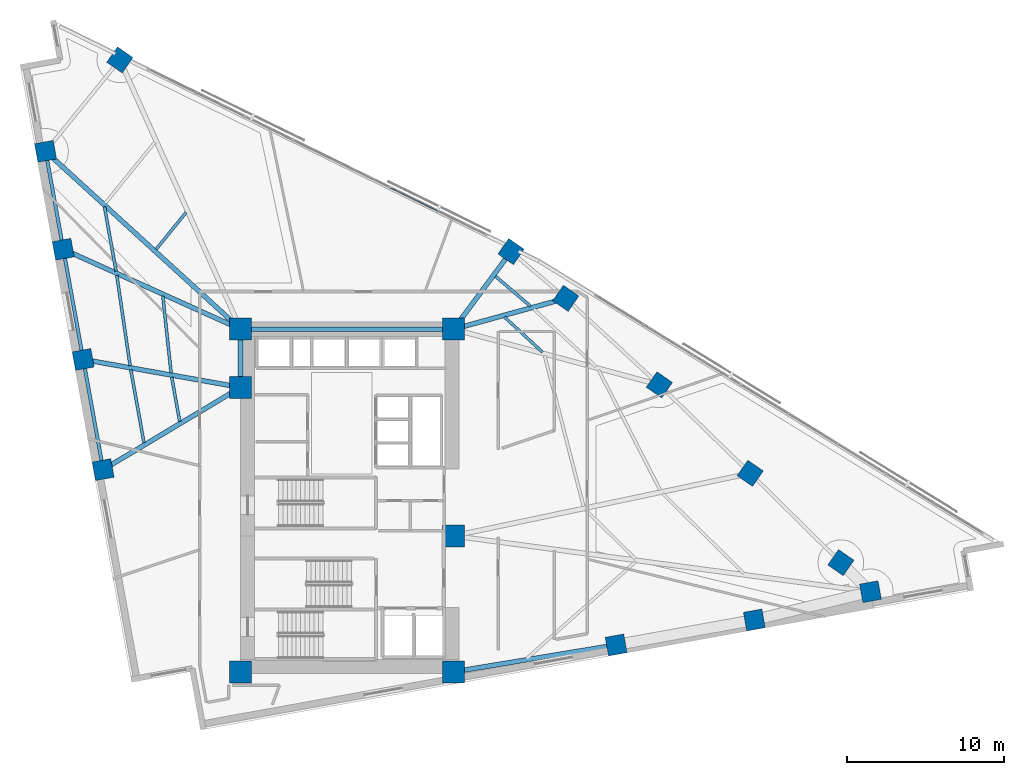
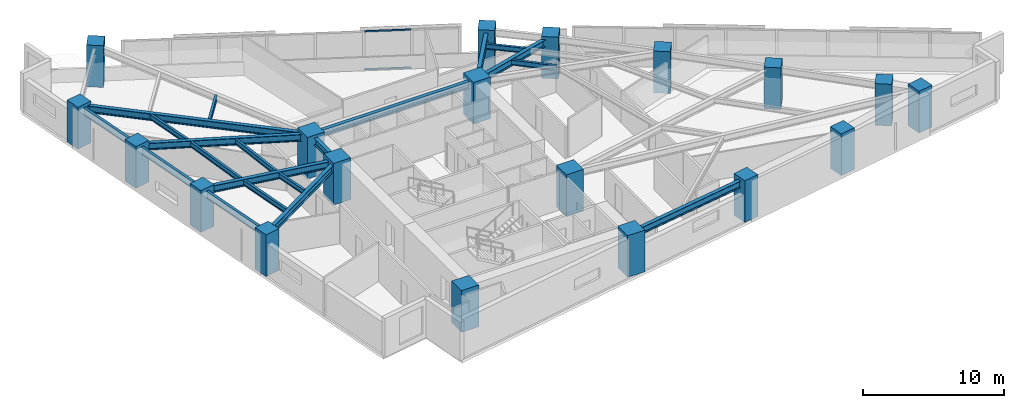
# One storey, part 1 of 18: 20 beams, 19 columns, 2 members, 1 element without a shape of its own.
"""IFC4 building model written with IfcOpenShell, lengths in metres."""

from ifc_helpers import new_model, si_unit, direction, frame, origin, origin_2d, place, context, subcontext, project, spatial, rectangle, hollow_rectangle, i_section, extrude, material, material_profile, profile_set, type_object, element, aggregate, save


model = new_model("IFC4")

# Units and contexts
model_context = context("Model", 3, precision=1e-05, world=origin(), true_north=direction((0.0, 1.0)))
body_context = subcontext(model_context, "Body", "Model", "MODEL_VIEW")
ifc_project = project(units=[si_unit("LENGTHUNIT", "METRE"), si_unit("AREAUNIT", "SQUARE_METRE"), si_unit("VOLUMEUNIT", "CUBIC_METRE"), si_unit("PLANEANGLEUNIT", "RADIAN"), si_unit("MASSUNIT", "GRAM", prefix="KILO")], contexts=[model_context])

# Site, building, storey
site_placement = place(None, origin())
site = spatial("IfcSite", under=ifc_project, at=site_placement, CompositionType="ELEMENT")
building_placement = place(site_placement, origin())
building = spatial("IfcBuilding", under=site, at=building_placement, Name="Narakoshi Arena Tower", CompositionType="ELEMENT")
storey_placement = place(building_placement, frame((0.0, 0.0, 99.300048828125)))
storey = spatial("IfcBuildingStorey", under=building, at=storey_placement, Name="L26", CompositionType="ELEMENT", Elevation=99.300048828125)

# Columns
ifc_material_1 = material(Name="Concrete C60/75", Category="concrete")
ifc_material_profile_1 = material_profile(ifc_material_1, rectangle(XDim=1.199951171875, YDim=1.199951171875, at=origin_2d()), Name="RC1200x1200")
ifc_profile_set_1 = profile_set([ifc_material_profile_1], Name="Concrete C60/75")
column_type_1 = type_object("IfcColumnType", Name="COL-RC1200", PredefinedType="COLUMN", material=ifc_profile_set_1)
for number, where, z_axis, x_axis, name in (
    (1, (95.89013671875, 36.411865234375, 0.0), (0.0, 0.0, 1.0), (0.984040697646, 0.177943545474, 0.0), "L26 Tower Perimeter Column TC02"),
    (2, (104.681396484375, 38.00146484375, 0.0), (0.0, 0.0, 1.0), (0.984040697646, 0.177943545474, 0.0), "L26 Tower Perimeter Column TC03"),
    (3, (112.0703125, 39.7978515625, 0.0), (0.0, 0.0, 1.0), (0.984040697646, 0.177943545474, 0.0), "L26 Tower Perimeter Column TC04"),
    (4, (110.189208984375, 41.650146484375, 0.0), (0.0, 0.0, 1.0), (0.569996762596, 0.821646937942, 0.0), "L26 Tower Perimeter Column TC05"),
    (5, (104.42041015625, 47.33056640625, 0.0), (0.0, 0.0, 1.0), (0.569996762596, 0.821646937942, 0.0), "L26 Tower Perimeter Column TC06"),
    (6, (98.641357421875, 52.95849609375, 0.0), (0.0, 0.0, 1.0), (0.569996762596, 0.821646937942, 0.0), "L26 Tower Perimeter Column TC07"),
    (7, (92.68994140625, 58.462890625, 0.0), (0.0, 0.0, 1.0), (0.569996762596, 0.821646937942, 0.0), "L26 Tower Perimeter Column TC08"),
    (8, (89.206787109375, 61.437744140625, 0.0), (0.0, 0.0, 1.0), (0.569996762596, 0.821646937942, 0.0), "L26 Tower Perimeter Column TC09"),
    (9, (64.31787109375, 73.633056640625, 0.0), (0.0, 0.0, 1.0), (0.569996762596, 0.821646937942, 0.0), "L26 Tower Perimeter Column TC11"),
    (10, (59.593505859375, 67.81591796875, 0.0), (0.0, 0.0, 1.0), (-0.177943545474, 0.984040697646, 0.0), "L26 Tower Perimeter Column TC13"),
    (11, (60.72021484375, 61.585205078125, 0.0), (0.0, 0.0, 1.0), (-0.177943545474, 0.984040697646, 0.0), "L26 Tower Perimeter Column TC14"),
    (12, (61.98779296875, 54.575439453125, 0.0), (0.0, 0.0, 1.0), (-0.177943545474, 0.984040697646, 0.0), "L26 Tower Perimeter Column TC15"),
    (13, (63.25537109375, 47.56591796875, 0.0), (0.0, 0.0, 1.0), (-0.177943545474, 0.984040697646, 0.0), "L26 Tower Perimeter Column TC16"),
):
    element("IfcColumn", number, at=place(storey_placement, frame(where, z_axis=z_axis, x_axis=x_axis)), inside=storey, type_object=column_type_1, Name=name, PredefinedType="COLUMN", context=body_context, shape_type="SweptSolid", body=[
        extrude(rectangle(XDim=1.199951171875, YDim=1.199951171875, at=origin_2d()), origin(), (0.0, 0.0, 1.0), 3.599853515625),
    ])
ifc_material_profile_2 = material_profile(ifc_material_1, rectangle(XDim=1.39990234375, YDim=1.39990234375, at=origin_2d()), Name="RC1400x1400")
ifc_profile_set_2 = profile_set([ifc_material_profile_2], Name="Concrete C60/75")
column_type_2 = type_object("IfcColumnType", Name="COL-RC1400", PredefinedType="COLUMN", material=ifc_profile_set_2)
for number, where, z_axis, x_axis, name in (
    (14, (72.0, 34.699951171875, 0.0), (0.0, 0.0, 1.0), (1.0, 0.0, 0.0), "L26 Core Structural Column CC1"),
    (15, (85.550048828125, 34.699951171875, 0.0), (0.0, 0.0, 1.0), (1.0, 0.0, 0.0), "L26 Core Structural Column CC2"),
    (16, (85.550048828125, 43.35009765625, 0.0), (0.0, 0.0, 1.0), (1.0, 0.0, 0.0), "L26 Core Structural Column CC3"),
    (17, (72.0, 52.800048828125, 0.0), (0.0, 0.0, 1.0), (1.0, 0.0, 0.0), "L26 Core Structural Column CC4"),
    (18, (72.0, 56.5, 0.0), (0.0, 0.0, 1.0), (1.0, 0.0, 0.0), "L26 Core Structural Column CC5"),
    (19, (85.550048828125, 56.5, 0.0), (0.0, 0.0, 1.0), (1.0, 0.0, 0.0), "L26 Core Structural Column CC6"),
):
    element("IfcColumn", number, at=place(storey_placement, frame(where, z_axis=z_axis, x_axis=x_axis)), inside=storey, type_object=column_type_2, Name=name, PredefinedType="COLUMN", context=body_context, shape_type="SweptSolid", body=[
        extrude(rectangle(XDim=1.39990234375, YDim=1.39990234375, at=origin_2d()), origin(), (0.0, 0.0, 1.0), 3.599853515625),
    ])

# Beams
ifc_material_2 = material(Name="Structural steel S355J2", Category="steel")
ifc_material_profile_3 = material_profile(ifc_material_2, i_section(OverallWidth=0.219970703125, OverallDepth=0.60009765625, WebThickness=0.011962890625, FlangeThickness=0.01904296875, FilletRadius=0.02392578125, at=origin_2d()), Name="IPE600")
ifc_profile_set_3 = profile_set([ifc_material_profile_3], Name="Structural steel S355J2")
beam_type_1 = type_object("IfcBeamType", Name="BM-EDGE-600", PredefinedType="BEAM", material=ifc_profile_set_3)
beam_1_placement = place(storey_placement, frame((59.593505859375, 67.81591796875, 3.0400390625), z_axis=(0.177945465207, -0.9840403505, 0.0), x_axis=(0.9840403505, 0.177945465207, 0.0)))
element("IfcBeam", 20, at=beam_1_placement, inside=storey, type_object=beam_type_1, Name="L26 Perimeter Edge Girder 10", PredefinedType="BEAM", context=body_context, shape_type="SweptSolid", body=[
    extrude(i_section(OverallWidth=0.219970703125, OverallDepth=0.60009765625, WebThickness=0.011962890625, FlangeThickness=0.01904296875, FilletRadius=0.02392578125, at=origin_2d()), origin(), (0.0, 0.0, 1.0), 6.331787109375),
])
beam_2_placement = place(storey_placement, frame((60.72021484375, 61.585205078125, 3.0400390625), z_axis=(0.177944362466, -0.98404054991, 0.0), x_axis=(0.98404054991, 0.177944362466, 0.0)))
element("IfcBeam", 21, at=beam_2_placement, inside=storey, type_object=beam_type_1, Name="L26 Perimeter Edge Girder 11", PredefinedType="BEAM", context=body_context, shape_type="SweptSolid", body=[
    extrude(i_section(OverallWidth=0.219970703125, OverallDepth=0.60009765625, WebThickness=0.011962890625, FlangeThickness=0.01904296875, FilletRadius=0.02392578125, at=origin_2d()), origin(), (0.0, 0.0, 1.0), 7.12353515625),
])
beam_3_placement = place(storey_placement, frame((61.98779296875, 54.575439453125, 3.0400390625), z_axis=(0.177950363985, -0.984039464634, 0.0), x_axis=(0.984039464634, 0.177950363985, 0.0)))
element("IfcBeam", 22, at=beam_3_placement, inside=storey, type_object=beam_type_1, Name="L26 Perimeter Edge Girder 12", PredefinedType="BEAM", context=body_context, shape_type="SweptSolid", body=[
    extrude(i_section(OverallWidth=0.219970703125, OverallDepth=0.60009765625, WebThickness=0.011962890625, FlangeThickness=0.01904296875, FilletRadius=0.02392578125, at=origin_2d()), origin(), (0.0, 0.0, 1.0), 7.123291015625),
])
ifc_material_profile_4 = material_profile(ifc_material_2, i_section(OverallWidth=0.300048828125, OverallDepth=0.60009765625, WebThickness=0.015380859375, FlangeThickness=0.030029296875, FilletRadius=0.027099609375, at=origin_2d()), Name="HE600B")
ifc_profile_set_4 = profile_set([ifc_material_profile_4], Name="Structural steel S355J2")
beam_type_2 = type_object("IfcBeamType", Name="BM-PRI-600", PredefinedType="BEAM", material=ifc_profile_set_4)
beam_4_placement = place(storey_placement, frame((85.550048828125, 34.699951171875, 3.0400390625), z_axis=(0.986570261116, 0.163337441762, 0.0), x_axis=(-0.163337441762, 0.986570261116, 0.0)))
element("IfcBeam", 23, at=beam_4_placement, inside=storey, type_object=beam_type_2, Name="L26 Radial Primary Floor Girder 01", PredefinedType="BEAM", context=body_context, shape_type="SweptSolid", body=[
    extrude(i_section(OverallWidth=0.300048828125, OverallDepth=0.60009765625, WebThickness=0.015380859375, FlangeThickness=0.030029296875, FilletRadius=0.027099609375, at=origin_2d()), origin(), (0.0, 0.0, 1.0), 10.48095703125),
])
beam_5_placement = place(storey_placement, frame((85.550048828125, 56.5, 3.0400390625), z_axis=(0.964225409977, 0.265083682551, 0.0), x_axis=(-0.265083682551, 0.964225409977, 0.0)))
element("IfcBeam", 24, at=beam_5_placement, inside=storey, type_object=beam_type_2, Name="L26 Radial Primary Floor Girder 07", PredefinedType="BEAM", context=body_context, shape_type="SweptSolid", body=[
    extrude(i_section(OverallWidth=0.300048828125, OverallDepth=0.60009765625, WebThickness=0.015380859375, FlangeThickness=0.030029296875, FilletRadius=0.027099609375, at=origin_2d()), origin(), (0.0, 0.0, 1.0), 7.40478515625),
])
beam_6_placement = place(storey_placement, frame((85.550048828125, 56.5, 3.0400390625), z_axis=(0.595138224279, 0.803623353321, 0.0), x_axis=(-0.803623353321, 0.595138224279, 0.0)))
element("IfcBeam", 25, at=beam_6_placement, inside=storey, type_object=beam_type_2, Name="L26 Radial Primary Floor Girder 08", PredefinedType="BEAM", context=body_context, shape_type="SweptSolid", body=[
    extrude(i_section(OverallWidth=0.300048828125, OverallDepth=0.60009765625, WebThickness=0.015380859375, FlangeThickness=0.030029296875, FilletRadius=0.027099609375, at=origin_2d()), origin(), (0.0, 0.0, 1.0), 6.144287109375),
])
beam_7_placement = place(storey_placement, frame((72.0, 56.5, 3.0400390625), z_axis=(-0.738833839277, 0.673887644893, 0.0), x_axis=(-0.673887644893, -0.738833839277, 0.0)))
element("IfcBeam", 26, at=beam_7_placement, inside=storey, type_object=beam_type_2, Name="L26 Radial Primary Floor Girder 10", PredefinedType="BEAM", context=body_context, shape_type="SweptSolid", body=[
    extrude(i_section(OverallWidth=0.300048828125, OverallDepth=0.60009765625, WebThickness=0.015380859375, FlangeThickness=0.030029296875, FilletRadius=0.027099609375, at=origin_2d()), origin(), (0.0, 0.0, 1.0), 16.7919921875),
])
beam_8_placement = place(storey_placement, frame((72.0, 56.5, 3.0400390625), z_axis=(-0.911639961566, 0.410989757142, 0.0), x_axis=(-0.410989757142, -0.911639961566, 0.0)))
element("IfcBeam", 27, at=beam_8_placement, inside=storey, type_object=beam_type_2, Name="L26 Radial Primary Floor Girder 11", PredefinedType="BEAM", context=body_context, shape_type="SweptSolid", body=[
    extrude(i_section(OverallWidth=0.300048828125, OverallDepth=0.60009765625, WebThickness=0.015380859375, FlangeThickness=0.030029296875, FilletRadius=0.027099609375, at=origin_2d()), origin(), (0.0, 0.0, 1.0), 12.373046875),
])
beam_9_placement = place(storey_placement, frame((72.0, 52.800048828125, 3.0400390625), z_axis=(-0.984639647685, 0.174598866568, 0.0), x_axis=(-0.174598866568, -0.984639647685, 0.0)))
element("IfcBeam", 28, at=beam_9_placement, inside=storey, type_object=beam_type_2, Name="L26 Radial Primary Floor Girder 12", PredefinedType="BEAM", context=body_context, shape_type="SweptSolid", body=[
    extrude(i_section(OverallWidth=0.300048828125, OverallDepth=0.60009765625, WebThickness=0.015380859375, FlangeThickness=0.030029296875, FilletRadius=0.027099609375, at=origin_2d()), origin(), (0.0, 0.0, 1.0), 10.16845703125),
])
beam_10_placement = place(storey_placement, frame((72.0, 52.800048828125, 3.0400390625), z_axis=(-0.858039895053, -0.513583039534, 0.0), x_axis=(0.513583039534, -0.858039895053, 0.0)))
element("IfcBeam", 29, at=beam_10_placement, inside=storey, type_object=beam_type_2, Name="L26 Radial Primary Floor Girder 13", PredefinedType="BEAM", context=body_context, shape_type="SweptSolid", body=[
    extrude(i_section(OverallWidth=0.300048828125, OverallDepth=0.60009765625, WebThickness=0.015380859375, FlangeThickness=0.030029296875, FilletRadius=0.027099609375, at=origin_2d()), origin(), (0.0, 0.0, 1.0), 10.19140625),
])
beam_11_placement = place(storey_placement, frame((72.0, 52.800048828125, 3.0400390625), z_axis=(0.0, 1.0, 0.0), x_axis=(-1.0, 0.0, 0.0)))
element("IfcBeam", 30, at=beam_11_placement, inside=storey, type_object=beam_type_2, Name="L26 Core Perimeter Frame Beam CC4-CC5", PredefinedType="BEAM", context=body_context, shape_type="SweptSolid", body=[
    extrude(i_section(OverallWidth=0.300048828125, OverallDepth=0.60009765625, WebThickness=0.015380859375, FlangeThickness=0.030029296875, FilletRadius=0.027099609375, at=origin_2d()), origin(), (0.0, 0.0, 1.0), 3.699951171875),
])
beam_12_placement = place(storey_placement, frame((72.0, 56.5, 3.0400390625), z_axis=(1.0, 0.0, 0.0), x_axis=(0.0, 1.0, 0.0)))
element("IfcBeam", 31, at=beam_12_placement, inside=storey, type_object=beam_type_2, Name="L26 Core Perimeter Frame Beam CC5-CC6", PredefinedType="BEAM", context=body_context, shape_type="SweptSolid", body=[
    extrude(i_section(OverallWidth=0.300048828125, OverallDepth=0.60009765625, WebThickness=0.015380859375, FlangeThickness=0.030029296875, FilletRadius=0.027099609375, at=origin_2d()), origin(), (0.0, 0.0, 1.0), 13.550048828125),
])
ifc_material_profile_5 = material_profile(ifc_material_2, i_section(OverallWidth=0.18994140625, OverallDepth=0.449951171875, WebThickness=0.009521484375, FlangeThickness=0.0146484375, FilletRadius=0.02099609375, at=origin_2d()), Name="IPE450")
ifc_profile_set_5 = profile_set([ifc_material_profile_5], Name="Structural steel S355J2")
beam_type_3 = type_object("IfcBeamType", Name="BM-SEC-450", PredefinedType="JOIST", material=ifc_profile_set_5)
beam_13_placement = place(storey_placement, frame((91.211181640625, 55.033447265625, 3.114990234375), z_axis=(-0.734152962366, 0.678984114578, 0.0), x_axis=(-0.678984114578, -0.734152962366, 0.0)))
element("IfcBeam", 32, at=beam_13_placement, inside=storey, type_object=beam_type_3, Name="L26 Composite Secondary Floor Joist 06", PredefinedType="JOIST", context=body_context, shape_type="SweptSolid", body=[
    extrude(i_section(OverallWidth=0.18994140625, OverallDepth=0.449951171875, WebThickness=0.009521484375, FlangeThickness=0.0146484375, FilletRadius=0.02099609375, at=origin_2d()), origin(), (0.0, 0.0, 1.0), 3.296875),
])
beam_14_placement = place(storey_placement, frame((90.4453125, 57.961669921875, 3.114990234375), z_axis=(-0.760382231872, 0.649475835927, 0.0), x_axis=(-0.649475835927, -0.760382231872, 0.0)))
element("IfcBeam", 33, at=beam_14_placement, inside=storey, type_object=beam_type_3, Name="L26 Composite Secondary Floor Joist 08", PredefinedType="JOIST", context=body_context, shape_type="SweptSolid", body=[
    extrude(i_section(OverallWidth=0.18994140625, OverallDepth=0.449951171875, WebThickness=0.009521484375, FlangeThickness=0.0146484375, FilletRadius=0.02099609375, at=origin_2d()), origin(), (0.0, 0.0, 1.0), 2.9365234375),
])
beam_15_placement = place(storey_placement, frame((68.53466796875, 63.93359375, 3.114990234375), z_axis=(-0.630431693458, -0.776244729376, 0.0), x_axis=(0.776244729376, -0.630431693458, 0.0)))
element("IfcBeam", 34, at=beam_15_placement, inside=storey, type_object=beam_type_3, Name="L26 Composite Secondary Floor Joist 09", PredefinedType="JOIST", context=body_context, shape_type="SweptSolid", body=[
    extrude(i_section(OverallWidth=0.18994140625, OverallDepth=0.449951171875, WebThickness=0.009521484375, FlangeThickness=0.0146484375, FilletRadius=0.02099609375, at=origin_2d()), origin(), (0.0, 0.0, 1.0), 3.027099609375),
])
beam_16_placement = place(storey_placement, frame((63.339599609375, 64.288330078125, 3.114990234375), z_axis=(0.177899481436, -0.984048664704, 0.0), x_axis=(0.984048664704, 0.177899481436, 0.0)))
element("IfcBeam", 35, at=beam_16_placement, inside=storey, type_object=beam_type_3, Name="L26 Composite Secondary Floor Joist 11", PredefinedType="JOIST", context=body_context, shape_type="SweptSolid", body=[
    extrude(i_section(OverallWidth=0.18994140625, OverallDepth=0.449951171875, WebThickness=0.009521484375, FlangeThickness=0.0146484375, FilletRadius=0.02099609375, at=origin_2d()), origin(), (0.0, 0.0, 1.0), 4.162353515625),
])
beam_17_placement = place(storey_placement, frame((67.051513671875, 58.603271484375, 3.114990234375), z_axis=(0.107509701648, -0.994204035423, 0.0), x_axis=(0.994204035423, 0.107509701648, 0.0)))
element("IfcBeam", 36, at=beam_17_placement, inside=storey, type_object=beam_type_3, Name="L26 Composite Secondary Floor Joist 12", PredefinedType="JOIST", context=body_context, shape_type="SweptSolid", body=[
    extrude(i_section(OverallWidth=0.18994140625, OverallDepth=0.449951171875, WebThickness=0.009521484375, FlangeThickness=0.0146484375, FilletRadius=0.02099609375, at=origin_2d()), origin(), (0.0, 0.0, 1.0), 4.91650390625),
])
beam_18_placement = place(storey_placement, frame((64.123779296875, 59.926025390625, 3.114990234375), z_axis=(0.145895495759, -0.989300007236, 0.0), x_axis=(0.989300007236, 0.145895495759, 0.0)))
element("IfcBeam", 37, at=beam_18_placement, inside=storey, type_object=beam_type_3, Name="L26 Composite Secondary Floor Joist 13", PredefinedType="JOIST", context=body_context, shape_type="SweptSolid", body=[
    extrude(i_section(OverallWidth=0.18994140625, OverallDepth=0.449951171875, WebThickness=0.009521484375, FlangeThickness=0.0146484375, FilletRadius=0.02099609375, at=origin_2d()), origin(), (0.0, 0.0, 1.0), 5.811767578125),
])
beam_19_placement = place(storey_placement, frame((67.61865234375, 53.448486328125, 3.114990234375), z_axis=(0.177970279924, -0.984035862895, 0.0), x_axis=(0.984035862895, 0.177970279924, 0.0)))
element("IfcBeam", 38, at=beam_19_placement, inside=storey, type_object=beam_type_3, Name="L26 Composite Secondary Floor Joist 14", PredefinedType="JOIST", context=body_context, shape_type="SweptSolid", body=[
    extrude(i_section(OverallWidth=0.18994140625, OverallDepth=0.449951171875, WebThickness=0.009521484375, FlangeThickness=0.0146484375, FilletRadius=0.02099609375, at=origin_2d()), origin(), (0.0, 0.0, 1.0), 2.8642578125),
])
beam_20_placement = place(storey_placement, frame((65.015380859375, 53.909912109375, 3.114990234375), z_axis=(0.177965200164, -0.984036781594, 0.0), x_axis=(0.984036781594, 0.177965200164, 0.0)))
element("IfcBeam", 39, at=beam_20_placement, inside=storey, type_object=beam_type_3, Name="L26 Composite Secondary Floor Joist 15", PredefinedType="JOIST", context=body_context, shape_type="SweptSolid", body=[
    extrude(i_section(OverallWidth=0.18994140625, OverallDepth=0.449951171875, WebThickness=0.009521484375, FlangeThickness=0.0146484375, FilletRadius=0.02099609375, at=origin_2d()), origin(), (0.0, 0.0, 1.0), 4.71630859375),
])

# Curtain wall, members
ifc_material_3 = material(Name="Anodised bronze aluminium 6063-T6", Category="aluminium")
curtain_wall_type = type_object("IfcCurtainWallType", Name="CW-HYP-LOW", PredefinedType="NOTDEFINED", material=ifc_material_3)
curtain_wall_placement = place(storey_placement, origin())
curtain_wall = element("IfcCurtainWall", 40, at=curtain_wall_placement, inside=storey, type_object=curtain_wall_type, Name="L26 Folded Hypotenuse Curtain Wall 2-1", PredefinedType="NOTDEFINED")
ifc_material_profile_6 = material_profile(ifc_material_3, hollow_rectangle(XDim=0.06494140625, YDim=0.1298828125, WallThickness=0.00390625, OuterFilletRadius=0.0048828125, at=origin_2d()), Name="TRN130x65x4")
ifc_profile_set_6 = profile_set([ifc_material_profile_6], Name="Anodised bronze aluminium 6063-T6")
member_type = type_object("IfcMemberType", Name="MEM-TRN-130", PredefinedType="USERDEFINED", material=ifc_profile_set_6)
member_1_placement = place(storey_placement, frame((84.525634765625, 64.02099609375, 0.032470703125), z_axis=(-0.897986843255, 0.440022305503, 0.0), x_axis=(-0.440022305503, -0.897986843255, 0.0)))
member_1 = element("IfcMember", 41, at=member_1_placement, type_object=member_type, Name="CW-01 transom 2.1", ObjectType="TRANSOM", PredefinedType="USERDEFINED", context=body_context, shape_type="SweptSolid", body=[
    extrude(hollow_rectangle(XDim=0.06494140625, YDim=0.1298828125, WallThickness=0.00390625, OuterFilletRadius=0.0048828125, at=origin_2d()), origin(), (0.0, 0.0, 1.0), 3.347412109375),
])
member_2_placement = place(storey_placement, frame((84.525634765625, 64.02099609375, 3.307373046875), z_axis=(-0.897986843255, 0.440022305503, 0.0), x_axis=(-0.440022305503, -0.897986843255, 0.0)))
member_2 = element("IfcMember", 42, at=member_2_placement, type_object=member_type, Name="CW-01 transom 2.2", ObjectType="TRANSOM", PredefinedType="USERDEFINED", context=body_context, shape_type="SweptSolid", body=[
    extrude(hollow_rectangle(XDim=0.06494140625, YDim=0.1298828125, WallThickness=0.00390625, OuterFilletRadius=0.0048828125, at=origin_2d()), origin(), (0.0, 0.0, 1.0), 3.347412109375),
])
aggregate(curtain_wall, [member_1, member_2])

save(model, "model.ifc")
